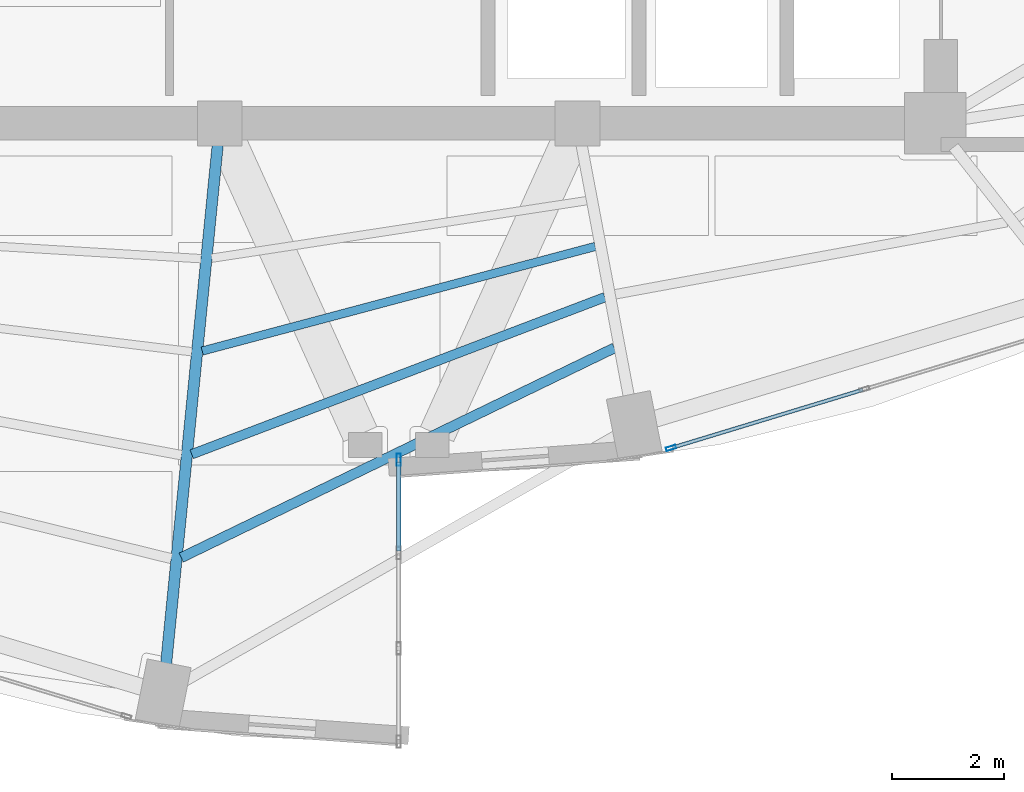
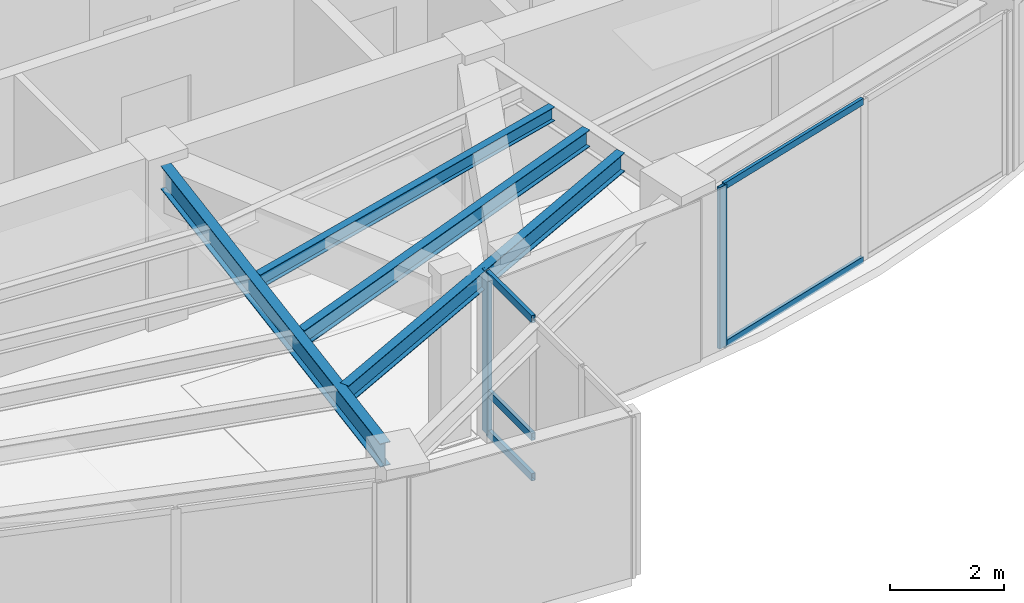
# One storey, part 6 of 23: 7 members, 4 beams, 2 elements without a shape of their own.
"""IFC4 building model written with IfcOpenShell, lengths in metres."""

from ifc_helpers import new_model, si_unit, direction, frame, origin, origin_2d, place, context, subcontext, project, spatial, hollow_rectangle, i_section, extrude, material, layer, layer_set, material_profile, profile_set, type_object, element, aggregate, save


model = new_model("IFC4")

# Units and contexts
model_context = context("Model", 3, precision=1e-05, world=origin(), true_north=direction((0.0, 1.0)))
body_context = subcontext(model_context, "Body", "Model", "MODEL_VIEW")
ifc_project = project(units=[si_unit("LENGTHUNIT", "METRE"), si_unit("AREAUNIT", "SQUARE_METRE"), si_unit("VOLUMEUNIT", "CUBIC_METRE"), si_unit("PLANEANGLEUNIT", "RADIAN"), si_unit("MASSUNIT", "GRAM", prefix="KILO")], contexts=[model_context])

# Site, building, storey
site_placement = place(None, origin())
site = spatial("IfcSite", under=ifc_project, at=site_placement, CompositionType="ELEMENT")
building_placement = place(site_placement, origin())
building = spatial("IfcBuilding", under=site, at=building_placement, Name="Lazwardi Medical Tower", CompositionType="ELEMENT")
storey_placement = place(building_placement, frame((0.0, 0.0, 209.424072265625)))
storey = spatial("IfcBuildingStorey", under=building, at=storey_placement, Name="L54", CompositionType="ELEMENT", Elevation=209.424072265625)

# Beams
ifc_material_1 = material(Name="Steel S355", Category="steel")
ifc_material_profile_1 = material_profile(ifc_material_1, i_section(OverallWidth=0.199951171875, OverallDepth=0.5, WebThickness=0.01025390625, FlangeThickness=0.01611328125, at=origin_2d()), Name="IPE 500")
ifc_profile_set_1 = profile_set([ifc_material_profile_1], Name="Steel S355")
beam_type_1 = type_object("IfcBeamType", Name="BM-RG-W3", PredefinedType="BEAM", material=ifc_profile_set_1)
beam_1_placement = place(storey_placement, frame((31.8388671875, 10.734130859375, 3.197998046875), z_axis=(0.098954361922, 0.995091972763, 0.0), x_axis=(-0.995091972763, 0.098954361922, 0.0)))
element("IfcBeam", 1, at=beam_1_placement, inside=storey, type_object=beam_type_1, Name="Radial girder RG-04 R16 L54", PredefinedType="BEAM", context=body_context, shape_type="SweptSolid", body=[
    extrude(i_section(OverallWidth=0.199951171875, OverallDepth=0.5, WebThickness=0.01025390625, FlangeThickness=0.01611328125, at=origin_2d()), origin(), (0.0, 0.0, 1.0), 9.32861328125),
])
ifc_material_profile_2 = material_profile(ifc_material_1, i_section(OverallWidth=0.179931640625, OverallDepth=0.39990234375, WebThickness=0.008544921875, FlangeThickness=0.013427734375, at=origin_2d()), Name="IPE 400")
ifc_profile_set_2 = profile_set([ifc_material_profile_2], Name="Steel S355")
beam_type_2 = type_object("IfcBeamType", Name="BM-SJ-01", PredefinedType="JOIST", material=ifc_profile_set_2)
beam_2_placement = place(storey_placement, frame((32.10888671875, 12.632080078125, 3.248046875), z_axis=(0.900068885459, 0.435747635024, 0.0), x_axis=(-0.435747635024, 0.900068885459, 0.0)))
element("IfcBeam", 2, at=beam_2_placement, inside=storey, type_object=beam_type_2, Name="Secondary joist SJ-01 R1 B16 L54", PredefinedType="JOIST", context=body_context, shape_type="SweptSolid", body=[
    extrude(i_section(OverallWidth=0.179931640625, OverallDepth=0.39990234375, WebThickness=0.008544921875, FlangeThickness=0.013427734375, at=origin_2d()), origin(), (0.0, 0.0, 1.0), 8.612548828125),
])
ifc_material_profile_3 = material_profile(ifc_material_1, i_section(OverallWidth=0.169921875, OverallDepth=0.360107421875, WebThickness=0.008056640625, FlangeThickness=0.0126953125, at=origin_2d()), Name="IPE 360")
ifc_profile_set_3 = profile_set([ifc_material_profile_3], Name="Steel S355")
beam_type_3 = type_object("IfcBeamType", Name="BM-SJ-02", PredefinedType="JOIST", material=ifc_profile_set_3)
beam_3_placement = place(storey_placement, frame((32.296875, 14.48095703125, 3.267822265625), z_axis=(0.934714470268, 0.355399576633, 0.0), x_axis=(-0.355399576633, 0.934714470268, 0.0)))
element("IfcBeam", 3, at=beam_3_placement, inside=storey, type_object=beam_type_3, Name="Secondary joist SJ-02 R2 B16 L54", PredefinedType="JOIST", context=body_context, shape_type="SweptSolid", body=[
    extrude(i_section(OverallWidth=0.169921875, OverallDepth=0.360107421875, WebThickness=0.008056640625, FlangeThickness=0.0126953125, at=origin_2d()), origin(), (0.0, 0.0, 1.0), 7.908203125),
])
ifc_material_profile_4 = material_profile(ifc_material_1, i_section(OverallWidth=0.14990234375, OverallDepth=0.300048828125, WebThickness=0.007080078125, FlangeThickness=0.0107421875, at=origin_2d()), Name="IPE 300")
ifc_profile_set_4 = profile_set([ifc_material_profile_4], Name="Steel S355")
beam_type_4 = type_object("IfcBeamType", Name="BM-SJ-03", PredefinedType="JOIST", material=ifc_profile_set_4)
beam_4_placement = place(storey_placement, frame((32.484619140625, 16.328125, 3.2978515625), z_axis=(0.966369007826, 0.257159368316, 0.0), x_axis=(-0.257159368316, 0.966369007826, 0.0)))
element("IfcBeam", 4, at=beam_4_placement, inside=storey, type_object=beam_type_4, Name="Secondary joist SJ-03 R3 B16 L54", PredefinedType="JOIST", context=body_context, shape_type="SweptSolid", body=[
    extrude(i_section(OverallWidth=0.14990234375, OverallDepth=0.300048828125, WebThickness=0.007080078125, FlangeThickness=0.0107421875, at=origin_2d()), origin(), (0.0, 0.0, 1.0), 7.27685546875),
])

# Curtain wall, member
ifc_material_2 = material(Name="Anodised bronze aluminium and solar control glazing", Category="aluminium")
ifc_layer_1 = layer(ifc_material_2, 0.2099609375)
ifc_layer_set_1 = layer_set([ifc_layer_1], Name="Anodised bronze aluminium and solar control glazing")
curtain_wall_type_1 = type_object("IfcCurtainWallType", Name="CW-SYS-06", PredefinedType="NOTDEFINED", material=ifc_layer_set_1)
curtain_wall_1_placement = place(storey_placement, origin())
curtain_wall_1 = element("IfcCurtainWall", 5, at=curtain_wall_1_placement, inside=storey, type_object=curtain_wall_type_1, Name="L54 Unitised bronze curtain wall CW-06", PredefinedType="NOTDEFINED")
ifc_material_3 = material(Name="Anodised bronze aluminium", Category="aluminium")
ifc_material_profile_5 = material_profile(ifc_material_3, hollow_rectangle(XDim=0.074951171875, YDim=0.219970703125, WallThickness=0.00390625, at=origin_2d()), Name="ALU-MULLION 220x75x4")
ifc_profile_set_5 = profile_set([ifc_material_profile_5], Name="Anodised bronze aluminium")
member_type_1 = type_object("IfcMemberType", Name="CW-MUL-01", PredefinedType="MULLION", material=ifc_profile_set_5)
member_1_placement = place(storey_placement, frame((36.0, 14.382568359375, 0.0), z_axis=(0.0, 0.0, 1.0), x_axis=(-1.0, 0.0, 0.0)))
member_1 = element("IfcMember", 6, at=member_1_placement, type_object=member_type_1, Name="CW-06 mullion 4", PredefinedType="MULLION", context=body_context, shape_type="SweptSolid", body=[
    extrude(hollow_rectangle(XDim=0.074951171875, YDim=0.219970703125, WallThickness=0.00390625, at=origin_2d()), origin(), (0.0, 0.0, 1.0), 3.447998046875),
])

ifc_layer_2 = layer(ifc_material_2, 0.18994140625)
ifc_layer_set_2 = layer_set([ifc_layer_2], Name="Anodised bronze aluminium and solar control glazing")
curtain_wall_type_2 = type_object("IfcCurtainWallType", Name="CW-SYS-04", PredefinedType="NOTDEFINED", material=ifc_layer_set_2)
curtain_wall_2_placement = place(storey_placement, origin())
curtain_wall_2 = element("IfcCurtainWall", 7, at=curtain_wall_2_placement, inside=storey, type_object=curtain_wall_type_2, Name="L54 Unitised bronze curtain wall CW-04", PredefinedType="NOTDEFINED")
ifc_material_profile_6 = material_profile(ifc_material_3, hollow_rectangle(XDim=0.06494140625, YDim=0.179931640625, WallThickness=0.00390625, at=origin_2d()), Name="ALU-MULLION 180x65x4")
ifc_profile_set_6 = profile_set([ifc_material_profile_6], Name="Anodised bronze aluminium")
member_type_2 = type_object("IfcMemberType", Name="CW-MUL-03", PredefinedType="MULLION", material=ifc_profile_set_6)
member_2_placement = place(storey_placement, frame((40.873046875, 14.593017578125, 0.0), z_axis=(0.0, 0.0, 1.0), x_axis=(-0.290581889515, 0.956850126972, 0.0)))
member_2 = element("IfcMember", 8, at=member_2_placement, type_object=member_type_2, Name="CW-04 mullion 1", PredefinedType="MULLION", context=body_context, shape_type="SweptSolid", body=[
    extrude(hollow_rectangle(XDim=0.06494140625, YDim=0.179931640625, WallThickness=0.00390625, at=origin_2d()), origin(), (0.0, 0.0, 1.0), 3.447998046875),
])

# Member
ifc_material_profile_7 = material_profile(ifc_material_3, hollow_rectangle(XDim=0.074951171875, YDim=0.159912109375, WallThickness=0.00390625, at=origin_2d()), Name="ALU-TRANSOM 160x75x4")
ifc_profile_set_7 = profile_set([ifc_material_profile_7], Name="Anodised bronze aluminium")
member_type_3 = type_object("IfcMemberType", Name="CW-TRN-01", PredefinedType="USERDEFINED", material=ifc_profile_set_7)
member_3_placement = place(storey_placement, frame((36.0, 12.750732421875, 0.037353515625), z_axis=(0.0, 1.0, 0.0), x_axis=(-1.0, 0.0, 0.0)))
member_3 = element("IfcMember", 9, at=member_3_placement, type_object=member_type_3, Name="CW-06 transom 3.1", ObjectType="TRANSOM", PredefinedType="USERDEFINED", context=body_context, shape_type="SweptSolid", body=[
    extrude(hollow_rectangle(XDim=0.074951171875, YDim=0.159912109375, WallThickness=0.00390625, at=origin_2d()), origin(), (0.0, 0.0, 1.0), 1.59423828125),
])

member_4_placement = place(storey_placement, frame((36.0, 12.750732421875, 0.89990234375), z_axis=(0.0, 1.0, 0.0), x_axis=(-1.0, 0.0, 0.0)))
member_4 = element("IfcMember", 10, at=member_4_placement, type_object=member_type_3, Name="CW-06 transom 3.2", ObjectType="TRANSOM", PredefinedType="USERDEFINED", context=body_context, shape_type="SweptSolid", body=[
    extrude(hollow_rectangle(XDim=0.074951171875, YDim=0.159912109375, WallThickness=0.00390625, at=origin_2d()), origin(), (0.0, 0.0, 1.0), 1.59423828125),
])

member_5_placement = place(storey_placement, frame((36.0, 12.750732421875, 3.410400390625), z_axis=(0.0, 1.0, 0.0), x_axis=(-1.0, 0.0, 0.0)))
member_5 = element("IfcMember", 11, at=member_5_placement, type_object=member_type_3, Name="CW-06 transom 3.3", ObjectType="TRANSOM", PredefinedType="USERDEFINED", context=body_context, shape_type="SweptSolid", body=[
    extrude(hollow_rectangle(XDim=0.074951171875, YDim=0.159912109375, WallThickness=0.00390625, at=origin_2d()), origin(), (0.0, 0.0, 1.0), 1.59423828125),
])

aggregate(curtain_wall_1, [member_1, member_3, member_4, member_5])

ifc_material_profile_8 = material_profile(ifc_material_3, hollow_rectangle(XDim=0.06494140625, YDim=0.139892578125, WallThickness=0.00341796875, at=origin_2d()), Name="ALU-TRANSOM 140x65x3.5")
ifc_profile_set_8 = profile_set([ifc_material_profile_8], Name="Anodised bronze aluminium")
member_type_4 = type_object("IfcMemberType", Name="CW-TRN-03", PredefinedType="USERDEFINED", material=ifc_profile_set_8)
member_6_placement = place(storey_placement, frame((40.904296875, 14.602294921875, 0.032470703125), z_axis=(0.956843409009, 0.290604010015, 0.0), x_axis=(-0.290604010015, 0.956843409009, 0.0)))
member_6 = element("IfcMember", 12, at=member_6_placement, type_object=member_type_4, Name="CW-04 transom 1.1", ObjectType="TRANSOM", PredefinedType="USERDEFINED", context=body_context, shape_type="SweptSolid", body=[
    extrude(hollow_rectangle(XDim=0.06494140625, YDim=0.139892578125, WallThickness=0.00341796875, at=origin_2d()), origin(), (0.0, 0.0, 1.0), 3.554443359375),
])

member_7_placement = place(storey_placement, frame((40.904296875, 14.602294921875, 3.41552734375), z_axis=(0.956843409009, 0.290604010015, 0.0), x_axis=(-0.290604010015, 0.956843409009, 0.0)))
member_7 = element("IfcMember", 13, at=member_7_placement, type_object=member_type_4, Name="CW-04 transom 1.2", ObjectType="TRANSOM", PredefinedType="USERDEFINED", context=body_context, shape_type="SweptSolid", body=[
    extrude(hollow_rectangle(XDim=0.06494140625, YDim=0.139892578125, WallThickness=0.00341796875, at=origin_2d()), origin(), (0.0, 0.0, 1.0), 3.554443359375),
])

aggregate(curtain_wall_2, [member_2, member_6, member_7])

save(model, "model.ifc")
